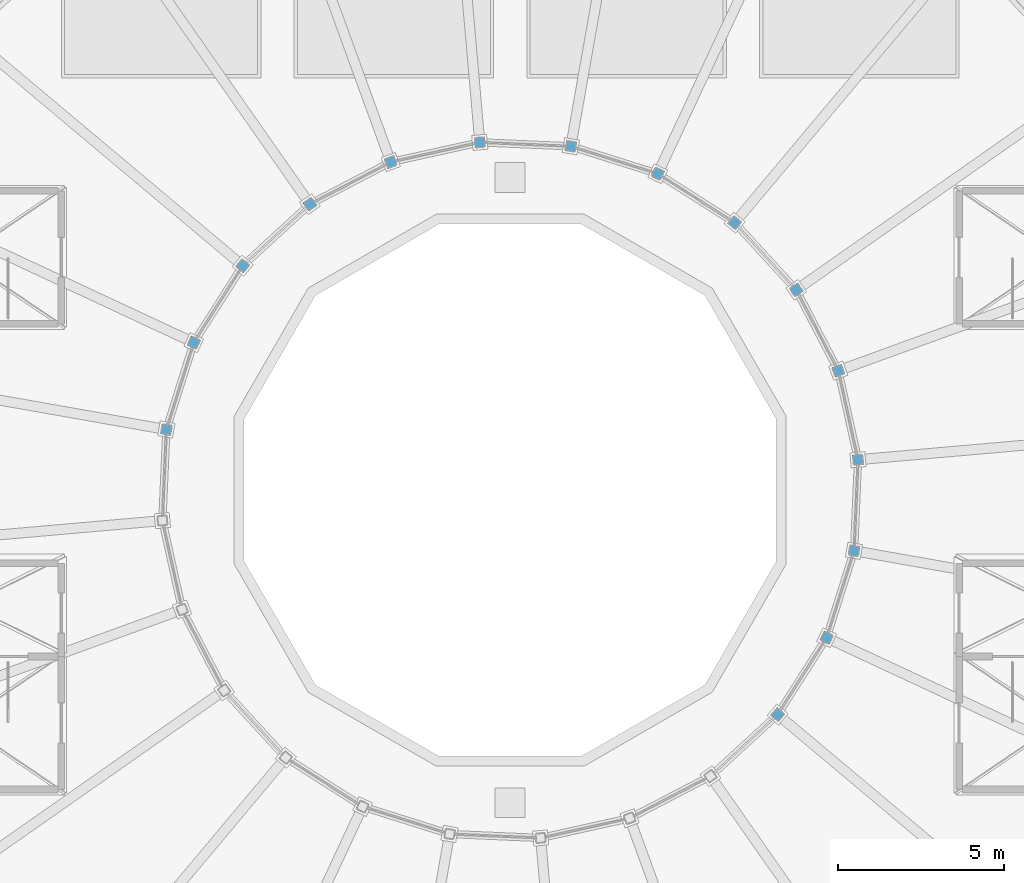
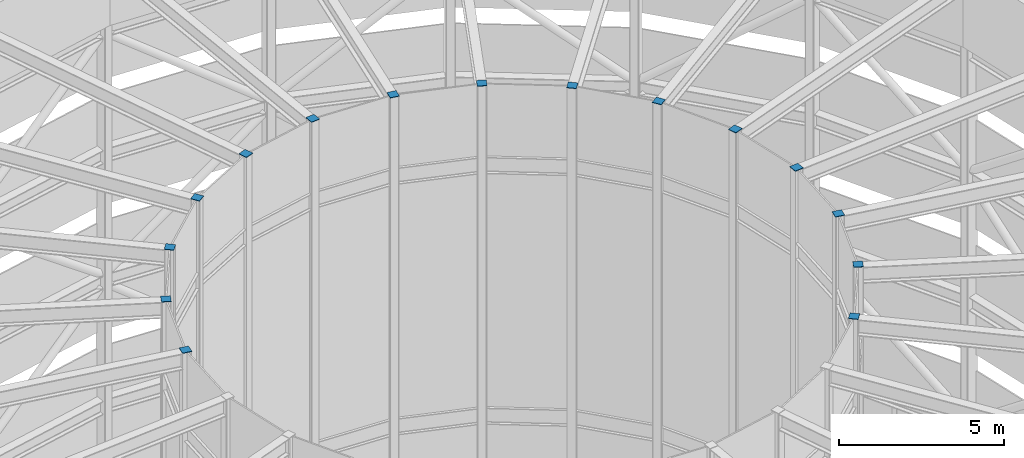
# One storey, part 16 of 20: 15 discrete accessories.
"""IFC4 building model written with IfcOpenShell, lengths in metres."""

from ifc_helpers import new_model, si_unit, direction, frame, origin, origin_2d, place, context, subcontext, project, spatial, rectangle, extrude, material, material_profile, profile_set, type_object, element, save


model = new_model("IFC4")

# Units and contexts
model_context = context("Model", 3, precision=1e-05, world=origin(), true_north=direction((0.0, 1.0)))
body_context = subcontext(model_context, "Body", "Model", "MODEL_VIEW")
ifc_project = project(units=[si_unit("LENGTHUNIT", "METRE"), si_unit("AREAUNIT", "SQUARE_METRE"), si_unit("VOLUMEUNIT", "CUBIC_METRE"), si_unit("PLANEANGLEUNIT", "RADIAN"), si_unit("MASSUNIT", "GRAM", prefix="KILO")], contexts=[model_context])

# Site, building, storey
site_placement = place(None, origin())
site = spatial("IfcSite", under=ifc_project, at=site_placement, CompositionType="ELEMENT")
building_placement = place(site_placement, origin())
building = spatial("IfcBuilding", under=site, at=building_placement, Name="Saqina Gate Tower", CompositionType="ELEMENT")
storey_placement = place(building_placement, frame((0.0, 0.0, 284.199951171875)))
storey = spatial("IfcBuildingStorey", under=building, at=storey_placement, Name="RF", CompositionType="ELEMENT", Elevation=284.199951171875)

# Discrete accessories
ifc_material = material(Name="Steel S460", Category="steel")
ifc_material_profile = material_profile(ifc_material, rectangle(XDim=0.300048828125, YDim=0.300048828125, at=origin_2d()), Name="STR-END PLATE-SHS 300x300x16")
ifc_profile_set = profile_set([ifc_material_profile], Name="Steel S460")
discrete_accessory_type = type_object("IfcDiscreteAccessoryType", Name="STR-END PLATE-SHS 300x300x16", PredefinedType="USERDEFINED", material=ifc_profile_set)
for number, where, z_axis, x_axis, name in (
    (1, (10.4599609375, 0.9150390625, 21.699951171875), (0.0, 0.0, 1.0), (0.996194698092, 0.087155742748, 0.0), "END PLATE CROWN FRAME COLUMN INNER 01 END"),
    (2, (9.86669921875, 3.59130859375, 21.699951171875), (0.0, 0.0, 1.0), (0.939692620786, 0.342020143326, 0.0), "END PLATE CROWN FRAME COLUMN INNER 02 END"),
    (3, (8.60107421875, 6.0224609375, 21.699951171875), (0.0, 0.0, 1.0), (0.819152044289, 0.573576436351, 0.0), "END PLATE CROWN FRAME COLUMN INNER 03 END"),
    (4, (6.749267578125, 8.04345703125, 21.699951171875), (0.0, 0.0, 1.0), (0.642787609687, 0.766044443119, 0.0), "END PLATE CROWN FRAME COLUMN INNER 04 END"),
    (5, (4.4375, 9.51611328125, 21.699951171875), (0.0, 0.0, 1.0), (0.422618261741, 0.906307787037, 0.0), "END PLATE CROWN FRAME COLUMN INNER 05 END"),
    (6, (1.8232421875, 10.340576171875, 21.699951171875), (0.0, 0.0, 1.0), (0.173648177667, 0.984807753012, 0.0), "END PLATE CROWN FRAME COLUMN INNER 06 END"),
    (7, (-0.9150390625, 10.4599609375, 21.699951171875), (0.0, 0.0, 1.0), (-0.087155742748, 0.996194698092, 0.0), "END PLATE CROWN FRAME COLUMN INNER 07 END"),
    (8, (-3.59130859375, 9.86669921875, 21.699951171875), (0.0, 0.0, 1.0), (-0.342020143326, 0.939692620786, 0.0), "END PLATE CROWN FRAME COLUMN INNER 08 END"),
    (9, (-6.0224609375, 8.60107421875, 21.699951171875), (0.0, 0.0, 1.0), (-0.573576436351, 0.819152044289, 0.0), "END PLATE CROWN FRAME COLUMN INNER 09 END"),
    (10, (-8.04345703125, 6.749267578125, 21.699951171875), (0.0, 0.0, 1.0), (-0.766044443119, 0.642787609687, 0.0), "END PLATE CROWN FRAME COLUMN INNER 10 END"),
    (11, (-9.51611328125, 4.4375, 21.699951171875), (0.0, 0.0, 1.0), (-0.906307787037, 0.422618261741, 0.0), "END PLATE CROWN FRAME COLUMN INNER 11 END"),
    (12, (-10.340576171875, 1.8232421875, 21.699951171875), (0.0, 0.0, 1.0), (-0.984807753012, 0.173648177667, 0.0), "END PLATE CROWN FRAME COLUMN INNER 12 END"),
    (13, (8.04345703125, -6.749267578125, 21.699951171875), (0.0, 0.0, 1.0), (0.766044443119, -0.642787609687, 0.0), "END PLATE CROWN FRAME COLUMN INNER 22 END"),
    (14, (9.51611328125, -4.4375, 21.699951171875), (0.0, 0.0, 1.0), (0.906307787037, -0.422618261741, 0.0), "END PLATE CROWN FRAME COLUMN INNER 23 END"),
    (15, (10.340576171875, -1.8232421875, 21.699951171875), (0.0, 0.0, 1.0), (0.984807753012, -0.173648177667, 0.0), "END PLATE CROWN FRAME COLUMN INNER 24 END"),
):
    element("IfcDiscreteAccessory", number, at=place(storey_placement, frame(where, z_axis=z_axis, x_axis=x_axis)), inside=storey, type_object=discrete_accessory_type, Name=name, ObjectType="END PLATE", PredefinedType="USERDEFINED", context=body_context, shape_type="SweptSolid", body=[
        extrude(rectangle(XDim=0.300048828125, YDim=0.300048828125, at=origin_2d()), origin(), (0.0, 0.0, 1.0), 0.02001953125),
    ])

save(model, "model.ifc")
